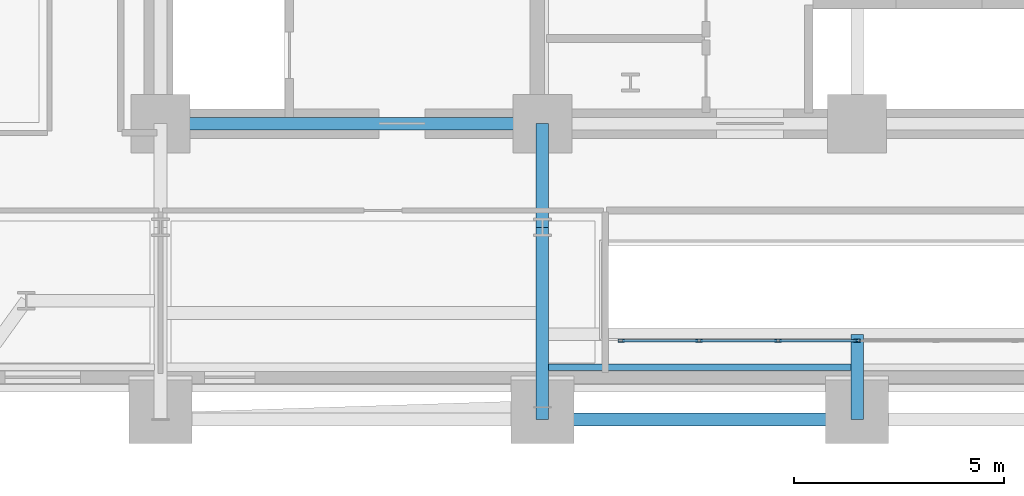
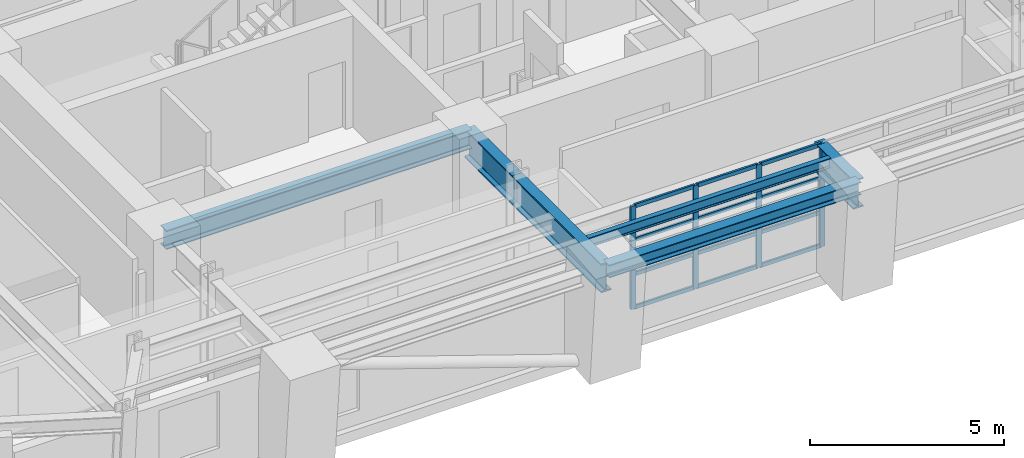
# One storey, part 2 of 15: 16 members, 6 beams, 1 element without a shape of its own.
"""IFC4 building model written with IfcOpenShell, lengths in metres."""

import ifcopenshell
import ifcopenshell.guid

model = None  # the IFC model being written
_history = None  # IfcOwnerHistory: only IFC2X3 demands one
_inside = {}  # id of a spatial element -> (the spatial element, [elements in it])
_under = {}  # id of a project, library or spatial element -> (it, [spatial elements below it])
_declared = {}  # id of a project -> (the project, [libraries it declares])
_typed = {}  # id of a type object -> (the type object, [elements of that type])
_made_of = {}  # id of a material, layer set ... -> (it, [elements and type objects made of it])


def new_model(schema):
    """Start an empty IFC model of exactly this schema.

    Asked for "IFC4X3", IfcOpenShell would pick the latest addendum, in which some entities
    have other attributes; the version numbers below select the first issue.
    IFC2X3 requires an IfcOwnerHistory on every rooted entity: one is made here for all.
    """
    global model, _history
    if schema == "IFC4X3":
        model = ifcopenshell.file(schema_version=(4, 3, 0, 0))
    else:
        model = ifcopenshell.file(schema=schema)
    _inside.clear()
    _under.clear()
    _declared.clear()
    _typed.clear()
    _made_of.clear()
    _history = None
    if model.schema == "IFC2X3":
        org = make("IfcOrganization", Name="unknown")
        user = make(
            "IfcPersonAndOrganization",
            ThePerson=make("IfcPerson", FamilyName="unknown"),
            TheOrganization=org,
        )
        app = make(
            "IfcApplication",
            ApplicationDeveloper=org,
            Version="unknown",
            ApplicationFullName="unknown",
            ApplicationIdentifier="unknown",
        )
        _history = make(
            "IfcOwnerHistory",
            OwningUser=user,
            OwningApplication=app,
            ChangeAction="ADDED",
            CreationDate=0,
        )
    return model


def make(cls, **values):
    """One entity of the class cls with the attributes given. An attribute that is None is left unset."""
    return model.create_entity(
        cls, **{name: value for name, value in values.items() if value is not None}
    )


def rooted(cls, **values):
    """An entity with a GlobalId (a new one), such as an element, a storey or a relation."""
    return make(cls, GlobalId=ifcopenshell.guid.new(), OwnerHistory=_history, **values)


def si_unit(unit_type, name, prefix=None):
    """IfcSIUnit, for example si_unit("LENGTHUNIT", "METRE", prefix="MILLI")."""
    return make("IfcSIUnit", UnitType=unit_type, Prefix=prefix, Name=name)


def assignment(units):
    """IfcUnitAssignment: the units of a project."""
    return None if units is None else make("IfcUnitAssignment", Units=units)


def point(xyz):
    """IfcCartesianPoint."""
    return None if xyz is None else make("IfcCartesianPoint", Coordinates=xyz)


def direction(xyz):
    """IfcDirection."""
    return None if xyz is None else make("IfcDirection", DirectionRatios=xyz)


def frame(location, z_axis=None, x_axis=None):
    """IfcAxis2Placement3D, a coordinate frame: its origin and axes. An axis left out is left unset."""
    return make(
        "IfcAxis2Placement3D",
        Location=point(location),
        Axis=direction(z_axis),
        RefDirection=direction(x_axis),
    )


def frame_2d(location, x_axis=None):
    """IfcAxis2Placement2D, a coordinate frame in the plane: its origin and x axis."""
    return make(
        "IfcAxis2Placement2D", Location=point(location), RefDirection=direction(x_axis)
    )


def origin():
    """The frame at (0, 0, 0) with its axes left unset."""
    return frame((0.0, 0.0, 0.0))


def origin_2d():
    """The frame at (0, 0) in the plane with its x axis left unset."""
    return frame_2d((0.0, 0.0))


def place(relative_to, where):
    """IfcLocalPlacement: puts the frame where relative to a parent placement (None: the world)."""
    return make(
        "IfcLocalPlacement", PlacementRelTo=relative_to, RelativePlacement=where
    )


def context(
    kind, dimensions, precision=None, world=None, true_north=None, identifier=None
):
    """IfcGeometricRepresentationContext, for example the 3D "Model" context."""
    return make(
        "IfcGeometricRepresentationContext",
        ContextIdentifier=identifier,
        ContextType=kind,
        CoordinateSpaceDimension=dimensions,
        Precision=precision,
        WorldCoordinateSystem=world,
        TrueNorth=true_north,
    )


def subcontext(parent, identifier, kind, view, scale=None):
    """IfcGeometricRepresentationSubContext, for example "Body" below "Model"."""
    return make(
        "IfcGeometricRepresentationSubContext",
        ContextIdentifier=identifier,
        ContextType=kind,
        ParentContext=parent,
        TargetScale=scale,
        TargetView=view,
    )


def project(units=None, contexts=None):
    """IfcProject with its units and contexts."""
    return rooted(
        "IfcProject",
        Name="project",
        RepresentationContexts=contexts,
        UnitsInContext=assignment(units),
    )


def spatial(cls, under=None, at=None, **own):
    """A site, building, storey or space (cls), placed at a placement, below another one or the project."""
    s = rooted(cls, ObjectPlacement=at, **own)
    if under is not None:
        _under.setdefault(under.id(), (under, []))[1].append(s)
    return s


def profile(cls, at=None, kind="AREA", **sizes):
    """A parametric profile (cls). Its sizes go by their IFC names, for example OverallWidth=200.0."""
    return make(cls, ProfileType=kind, Position=at, **sizes)


def hollow_rectangle(**sizes):
    """IfcRectangleHollowProfileDef."""
    return profile("IfcRectangleHollowProfileDef", **sizes)


def i_section(**sizes):
    """IfcIShapeProfileDef."""
    return profile("IfcIShapeProfileDef", **sizes)


def extrude(swept, where, along, depth):
    """IfcExtrudedAreaSolid: the profile swept, set in the frame where, extruded along a direction by depth."""
    return make(
        "IfcExtrudedAreaSolid",
        SweptArea=swept,
        Position=where,
        ExtrudedDirection=direction(along),
        Depth=depth,
    )


def shape(context_of_items, identifier, shape_type, items):
    """IfcShapeRepresentation: the items that make up one representation, for example the "Body"."""
    return make(
        "IfcShapeRepresentation",
        ContextOfItems=context_of_items,
        RepresentationIdentifier=identifier,
        RepresentationType=shape_type,
        Items=items,
    )


def material(Name=None, Category=None):
    """IfcMaterial."""
    return make("IfcMaterial", Name=Name, Category=Category)


def layer(
    of_material, thickness, ventilated=None, Name=None, Category=None, Priority=None
):
    """IfcMaterialLayer: one layer of a wall or slab, of a material (None: an air gap)."""
    return make(
        "IfcMaterialLayer",
        Material=of_material,
        LayerThickness=thickness,
        IsVentilated=ventilated,
        Name=Name,
        Category=Category,
        Priority=Priority,
    )


def layer_set(layers, Name=None):
    """IfcMaterialLayerSet."""
    return make("IfcMaterialLayerSet", MaterialLayers=layers, LayerSetName=Name)


def material_profile(
    of_material, cross_section, Name=None, Category=None, Priority=None
):
    """IfcMaterialProfile: a cross section and its material."""
    return make(
        "IfcMaterialProfile",
        Name=Name,
        Material=of_material,
        Profile=cross_section,
        Priority=Priority,
        Category=Category,
    )


def profile_set(profiles, Name=None, composite=None):
    """IfcMaterialProfileSet."""
    return make(
        "IfcMaterialProfileSet",
        Name=Name,
        MaterialProfiles=profiles,
        CompositeProfile=composite,
    )


def made_of(thing, what):
    """Note that an element or type object is made of a material, layer set ...; save() writes the relation."""
    if what is not None:
        _made_of.setdefault(what.id(), (what, []))[1].append(thing)
    return thing


def type_object(cls, material=None, **own):
    """A type object (cls), such as IfcWallType, which elements share."""
    return made_of(rooted(cls, **own), material)


def element(
    cls,
    number,
    at=None,
    inside=None,
    cuts=None,
    type_object=None,
    material=None,
    context=None,
    identifier="Body",
    shape_type=None,
    held_by="IfcProductDefinitionShape",
    body=None,
    shapes=None,
    **own,
):
    """One element of the class cls, such as IfcWall. Its Tag is "e" and its number.

    at: its placement. inside: the storey or other place that contains it. cuts: it is an
    opening in that element (IfcRelVoidsElement). A single representation is given by context,
    identifier, shape_type and body (its items); several are given by shapes. held_by: the class
    of the entity that holds the representations. save() writes the other relations.
    """
    e = rooted(cls, Tag="e%d" % number, ObjectPlacement=at, **own)
    if body is not None:
        shapes = [shape(context, identifier, shape_type, body)]
    if shapes is not None:
        e.Representation = make(held_by, Representations=shapes)
    if inside is not None:
        _inside.setdefault(inside.id(), (inside, []))[1].append(e)
    if cuts is not None:
        rooted(
            "IfcRelVoidsElement", RelatingBuildingElement=cuts, RelatedOpeningElement=e
        )
    if type_object is not None:
        _typed.setdefault(type_object.id(), (type_object, []))[1].append(e)
    return made_of(e, material)


def aggregate(whole, parts):
    """IfcRelAggregates: a whole, such as a stair, and the parts it consists of."""
    return rooted("IfcRelAggregates", RelatingObject=whole, RelatedObjects=parts)


def save(model, path):
    """Write the relations noted so far, then the file.

    IfcRelAggregates (storeys below a building ...), IfcRelContainedInSpatialStructure (elements
    in a storey), IfcRelDefinesByType, IfcRelAssociatesMaterial and IfcRelDeclares: one each for
    every whole, place, type object, material and project.
    """
    for whole, parts in _under.values():
        aggregate(whole, parts)
    for where, things in _inside.values():
        rooted(
            "IfcRelContainedInSpatialStructure",
            RelatedElements=things,
            RelatingStructure=where,
        )
    for kind, things in _typed.values():
        rooted("IfcRelDefinesByType", RelatedObjects=things, RelatingType=kind)
    for what, things in _made_of.values():
        rooted("IfcRelAssociatesMaterial", RelatedObjects=things, RelatingMaterial=what)
    for by, libraries in _declared.values():
        rooted("IfcRelDeclares", RelatingContext=by, RelatedDefinitions=libraries)
    model.write(path)


model = new_model("IFC4")

# Units and contexts
model_context = context("Model", 3, precision=1e-05, world=origin(), true_north=direction((0.0, 1.0)))
body_context = subcontext(model_context, "Body", "Model", "MODEL_VIEW")
ifc_project = project(units=[si_unit("LENGTHUNIT", "METRE"), si_unit("AREAUNIT", "SQUARE_METRE"), si_unit("VOLUMEUNIT", "CUBIC_METRE"), si_unit("PLANEANGLEUNIT", "RADIAN"), si_unit("MASSUNIT", "GRAM", prefix="KILO")], contexts=[model_context])

# Site, building, storey
site_placement = place(None, origin())
site = spatial("IfcSite", under=ifc_project, at=site_placement, CompositionType="ELEMENT")
building_placement = place(site_placement, origin())
building = spatial("IfcBuilding", under=site, at=building_placement, Name="Zarnavel Station Tower", CompositionType="ELEMENT")
storey_placement = place(building_placement, frame((0.0, 0.0, 57.0)))
storey = spatial("IfcBuildingStorey", under=building, at=storey_placement, Name="L15", CompositionType="ELEMENT", Elevation=57.0)

# Curtain wall, members
ifc_material_1 = material(Name="Aluminium Dark Anodised and Solar-Control Glass", Category="aluminium")
ifc_layer = layer(ifc_material_1, 0.179931640625)
ifc_layer_set = layer_set([ifc_layer], Name="CWS2")
curtain_wall_type = type_object("IfcCurtainWallType", Name="CWS2", PredefinedType="NOTDEFINED", material=ifc_layer_set)
curtain_wall_placement = place(storey_placement, origin())
curtain_wall = element("IfcCurtainWall", 1, at=curtain_wall_placement, inside=storey, type_object=curtain_wall_type, Name="L15 Curtain Wall CWS2-L15-AS", PredefinedType="NOTDEFINED")
ifc_material_2 = material(Name="Steel S355J2 (Black Fluoropolymer Coated)", Category="steel")
ifc_material_profile_1 = material_profile(ifc_material_2, hollow_rectangle(XDim=0.074951171875, YDim=0.14990234375, WallThickness=0.00634765625, at=origin_2d()), Name="RHS150x75x6.3")
ifc_profile_set_1 = profile_set([ifc_material_profile_1], Name="Steel S355J2 (Black Fluoropolymer Coated)")
member_type_1 = type_object("IfcMemberType", Name="CWS2_MUL", PredefinedType="MULLION", material=ifc_profile_set_1)
member_1_placement = place(storey_placement, frame((23.179931640625, 22.64990234375, 0.0), z_axis=(0.0, 0.0, 1.0), x_axis=(0.0, 1.0, 0.0)))
member_1 = element("IfcMember", 2, at=member_1_placement, type_object=member_type_1, Name="CW2 mullion 1", PredefinedType="MULLION", context=body_context, shape_type="SweptSolid", body=[
    extrude(hollow_rectangle(XDim=0.074951171875, YDim=0.14990234375, WallThickness=0.00634765625, at=origin_2d()), origin(), (0.0, 0.0, 1.0), 3.239990234375),
])
member_2_placement = place(storey_placement, frame((25.033447265625, 22.64990234375, 0.0), z_axis=(0.0, 0.0, 1.0), x_axis=(0.0, 1.0, 0.0)))
member_2 = element("IfcMember", 3, at=member_2_placement, type_object=member_type_1, Name="CW2 mullion 2", PredefinedType="MULLION", context=body_context, shape_type="SweptSolid", body=[
    extrude(hollow_rectangle(XDim=0.074951171875, YDim=0.14990234375, WallThickness=0.00634765625, at=origin_2d()), origin(), (0.0, 0.0, 1.0), 3.239990234375),
])
member_3_placement = place(storey_placement, frame((26.916748046875, 22.64990234375, 0.0), z_axis=(0.0, 0.0, 1.0), x_axis=(0.0, 1.0, 0.0)))
member_3 = element("IfcMember", 4, at=member_3_placement, type_object=member_type_1, Name="CW2 mullion 3", PredefinedType="MULLION", context=body_context, shape_type="SweptSolid", body=[
    extrude(hollow_rectangle(XDim=0.074951171875, YDim=0.14990234375, WallThickness=0.00634765625, at=origin_2d()), origin(), (0.0, 0.0, 1.0), 3.239990234375),
])
member_4_placement = place(storey_placement, frame((28.800048828125, 22.64990234375, 0.0), z_axis=(0.0, 0.0, 1.0), x_axis=(0.0, 1.0, 0.0)))
member_4 = element("IfcMember", 5, at=member_4_placement, type_object=member_type_1, Name="CW2 mullion 4", PredefinedType="MULLION", context=body_context, shape_type="SweptSolid", body=[
    extrude(hollow_rectangle(XDim=0.074951171875, YDim=0.14990234375, WallThickness=0.00634765625, at=origin_2d()), origin(), (0.0, 0.0, 1.0), 3.239990234375),
])
ifc_material_3 = material(Name="Steel S355J2 (Black Fluoropolymer Coated)", Category="steel")
ifc_material_profile_2 = material_profile(ifc_material_3, hollow_rectangle(XDim=0.06005859375, YDim=0.1201171875, WallThickness=0.0048828125, at=origin_2d()), Name="RHS120x60x5")
ifc_profile_set_2 = profile_set([ifc_material_profile_2], Name="Steel S355J2 (Black Fluoropolymer Coated)")
member_type_2 = type_object("IfcMemberType", Name="CWS2_TRN", PredefinedType="USERDEFINED", material=ifc_profile_set_2)
member_5_placement = place(storey_placement, frame((23.2099609375, 22.64990234375, 0.030029296875), z_axis=(1.0, 0.0, 0.0), x_axis=(0.0, 1.0, 0.0)))
member_5 = element("IfcMember", 6, at=member_5_placement, type_object=member_type_2, Name="CW2 transom 1.1", ObjectType="TRANSOM", PredefinedType="USERDEFINED", context=body_context, shape_type="SweptSolid", body=[
    extrude(hollow_rectangle(XDim=0.06005859375, YDim=0.1201171875, WallThickness=0.0048828125, at=origin_2d()), origin(), (0.0, 0.0, 1.0), 1.79345703125),
])
member_6_placement = place(storey_placement, frame((23.2099609375, 22.64990234375, 1.080078125), z_axis=(1.0, 0.0, 0.0), x_axis=(0.0, 1.0, 0.0)))
member_6 = element("IfcMember", 7, at=member_6_placement, type_object=member_type_2, Name="CW2 transom 1.2", ObjectType="TRANSOM", PredefinedType="USERDEFINED", context=body_context, shape_type="SweptSolid", body=[
    extrude(hollow_rectangle(XDim=0.06005859375, YDim=0.1201171875, WallThickness=0.0048828125, at=origin_2d()), origin(), (0.0, 0.0, 1.0), 1.79345703125),
])
member_7_placement = place(storey_placement, frame((23.2099609375, 22.64990234375, 2.159912109375), z_axis=(1.0, 0.0, 0.0), x_axis=(0.0, 1.0, 0.0)))
member_7 = element("IfcMember", 8, at=member_7_placement, type_object=member_type_2, Name="CW2 transom 1.3", ObjectType="TRANSOM", PredefinedType="USERDEFINED", context=body_context, shape_type="SweptSolid", body=[
    extrude(hollow_rectangle(XDim=0.06005859375, YDim=0.1201171875, WallThickness=0.0048828125, at=origin_2d()), origin(), (0.0, 0.0, 1.0), 1.79345703125),
])
member_8_placement = place(storey_placement, frame((23.2099609375, 22.64990234375, 3.2099609375), z_axis=(1.0, 0.0, 0.0), x_axis=(0.0, 1.0, 0.0)))
member_8 = element("IfcMember", 9, at=member_8_placement, type_object=member_type_2, Name="CW2 transom 1.4", ObjectType="TRANSOM", PredefinedType="USERDEFINED", context=body_context, shape_type="SweptSolid", body=[
    extrude(hollow_rectangle(XDim=0.06005859375, YDim=0.1201171875, WallThickness=0.0048828125, at=origin_2d()), origin(), (0.0, 0.0, 1.0), 1.79345703125),
])
member_9_placement = place(storey_placement, frame((25.063232421875, 22.64990234375, 0.030029296875), z_axis=(1.0, 0.0, 0.0), x_axis=(0.0, 1.0, 0.0)))
member_9 = element("IfcMember", 10, at=member_9_placement, type_object=member_type_2, Name="CW2 transom 2.1", ObjectType="TRANSOM", PredefinedType="USERDEFINED", context=body_context, shape_type="SweptSolid", body=[
    extrude(hollow_rectangle(XDim=0.06005859375, YDim=0.1201171875, WallThickness=0.0048828125, at=origin_2d()), origin(), (0.0, 0.0, 1.0), 1.823486328125),
])
member_10_placement = place(storey_placement, frame((25.063232421875, 22.64990234375, 1.080078125), z_axis=(1.0, 0.0, 0.0), x_axis=(0.0, 1.0, 0.0)))
member_10 = element("IfcMember", 11, at=member_10_placement, type_object=member_type_2, Name="CW2 transom 2.2", ObjectType="TRANSOM", PredefinedType="USERDEFINED", context=body_context, shape_type="SweptSolid", body=[
    extrude(hollow_rectangle(XDim=0.06005859375, YDim=0.1201171875, WallThickness=0.0048828125, at=origin_2d()), origin(), (0.0, 0.0, 1.0), 1.823486328125),
])
member_11_placement = place(storey_placement, frame((25.063232421875, 22.64990234375, 2.159912109375), z_axis=(1.0, 0.0, 0.0), x_axis=(0.0, 1.0, 0.0)))
member_11 = element("IfcMember", 12, at=member_11_placement, type_object=member_type_2, Name="CW2 transom 2.3", ObjectType="TRANSOM", PredefinedType="USERDEFINED", context=body_context, shape_type="SweptSolid", body=[
    extrude(hollow_rectangle(XDim=0.06005859375, YDim=0.1201171875, WallThickness=0.0048828125, at=origin_2d()), origin(), (0.0, 0.0, 1.0), 1.823486328125),
])
member_12_placement = place(storey_placement, frame((25.063232421875, 22.64990234375, 3.2099609375), z_axis=(1.0, 0.0, 0.0), x_axis=(0.0, 1.0, 0.0)))
member_12 = element("IfcMember", 13, at=member_12_placement, type_object=member_type_2, Name="CW2 transom 2.4", ObjectType="TRANSOM", PredefinedType="USERDEFINED", context=body_context, shape_type="SweptSolid", body=[
    extrude(hollow_rectangle(XDim=0.06005859375, YDim=0.1201171875, WallThickness=0.0048828125, at=origin_2d()), origin(), (0.0, 0.0, 1.0), 1.823486328125),
])
member_13_placement = place(storey_placement, frame((26.94677734375, 22.64990234375, 0.030029296875), z_axis=(1.0, 0.0, 0.0), x_axis=(0.0, 1.0, 0.0)))
member_13 = element("IfcMember", 14, at=member_13_placement, type_object=member_type_2, Name="CW2 transom 3.1", ObjectType="TRANSOM", PredefinedType="USERDEFINED", context=body_context, shape_type="SweptSolid", body=[
    extrude(hollow_rectangle(XDim=0.06005859375, YDim=0.1201171875, WallThickness=0.0048828125, at=origin_2d()), origin(), (0.0, 0.0, 1.0), 1.8232421875),
])
member_14_placement = place(storey_placement, frame((26.94677734375, 22.64990234375, 1.080078125), z_axis=(1.0, 0.0, 0.0), x_axis=(0.0, 1.0, 0.0)))
member_14 = element("IfcMember", 15, at=member_14_placement, type_object=member_type_2, Name="CW2 transom 3.2", ObjectType="TRANSOM", PredefinedType="USERDEFINED", context=body_context, shape_type="SweptSolid", body=[
    extrude(hollow_rectangle(XDim=0.06005859375, YDim=0.1201171875, WallThickness=0.0048828125, at=origin_2d()), origin(), (0.0, 0.0, 1.0), 1.8232421875),
])
member_15_placement = place(storey_placement, frame((26.94677734375, 22.64990234375, 2.159912109375), z_axis=(1.0, 0.0, 0.0), x_axis=(0.0, 1.0, 0.0)))
member_15 = element("IfcMember", 16, at=member_15_placement, type_object=member_type_2, Name="CW2 transom 3.3", ObjectType="TRANSOM", PredefinedType="USERDEFINED", context=body_context, shape_type="SweptSolid", body=[
    extrude(hollow_rectangle(XDim=0.06005859375, YDim=0.1201171875, WallThickness=0.0048828125, at=origin_2d()), origin(), (0.0, 0.0, 1.0), 1.8232421875),
])
member_16_placement = place(storey_placement, frame((26.94677734375, 22.64990234375, 3.2099609375), z_axis=(1.0, 0.0, 0.0), x_axis=(0.0, 1.0, 0.0)))
member_16 = element("IfcMember", 17, at=member_16_placement, type_object=member_type_2, Name="CW2 transom 3.4", ObjectType="TRANSOM", PredefinedType="USERDEFINED", context=body_context, shape_type="SweptSolid", body=[
    extrude(hollow_rectangle(XDim=0.06005859375, YDim=0.1201171875, WallThickness=0.0048828125, at=origin_2d()), origin(), (0.0, 0.0, 1.0), 1.8232421875),
])
aggregate(curtain_wall, [member_1, member_2, member_3, member_4, member_5, member_6, member_7, member_8, member_9, member_10, member_11, member_12, member_13, member_14, member_15, member_16])

# Beams
ifc_material_4 = material(Name="Steel S355J2", Category="steel")
ifc_material_profile_3 = material_profile(ifc_material_4, i_section(OverallWidth=0.300048828125, OverallDepth=0.39990234375, WebThickness=0.013427734375, FlangeThickness=0.02392578125, FilletRadius=0.027099609375, at=origin_2d()), Name="HEB400")
ifc_profile_set_3 = profile_set([ifc_material_profile_3], Name="Steel S355J2")
beam_type_1 = type_object("IfcBeamType", Name="EB_HEB400", PredefinedType="SPANDREL", material=ifc_profile_set_3)
beam_1_placement = place(storey_placement, frame((21.300048828125, 20.76904296875, 3.0400390625), z_axis=(1.0, 0.0, 0.0), x_axis=(0.0, 1.0, 0.0)))
element("IfcBeam", 18, at=beam_1_placement, inside=storey, type_object=beam_type_1, Name="L15 South Raked Spandrel 2", PredefinedType="SPANDREL", context=body_context, shape_type="SweptSolid", body=[
    extrude(i_section(OverallWidth=0.300048828125, OverallDepth=0.39990234375, WebThickness=0.013427734375, FlangeThickness=0.02392578125, FilletRadius=0.027099609375, at=origin_2d()), origin(), (0.0, 0.0, 1.0), 7.5),
])
ifc_material_5 = material(Name="Steel S355J2", Category="steel")
ifc_material_profile_4 = material_profile(ifc_material_5, i_section(OverallWidth=0.300048828125, OverallDepth=0.60009765625, WebThickness=0.015380859375, FlangeThickness=0.030029296875, FilletRadius=0.027099609375, at=origin_2d()), Name="HEB600")
ifc_profile_set_4 = profile_set([ifc_material_profile_4], Name="Steel S355J2")
beam_type_2 = type_object("IfcBeamType", Name="FG_HEB600", PredefinedType="USERDEFINED", material=ifc_profile_set_4)
beam_2_placement = place(storey_placement, frame((12.199951171875, 27.820068359375, 2.93994140625), z_axis=(1.0, 0.0, 0.0), x_axis=(0.0, 1.0, 0.0)))
element("IfcBeam", 19, at=beam_2_placement, inside=storey, type_object=beam_type_2, Name="L15 Core Front Coupling Beam 1", ObjectType="GIRDER", PredefinedType="USERDEFINED", context=body_context, shape_type="SweptSolid", body=[
    extrude(i_section(OverallWidth=0.300048828125, OverallDepth=0.60009765625, WebThickness=0.015380859375, FlangeThickness=0.030029296875, FilletRadius=0.027099609375, at=origin_2d()), origin(), (0.0, 0.0, 1.0), 9.10009765625),
])
ifc_material_6 = material(Name="Steel S355J2", Category="steel")
ifc_material_profile_5 = material_profile(ifc_material_6, i_section(OverallWidth=0.14990234375, OverallDepth=0.300048828125, WebThickness=0.007080078125, FlangeThickness=0.0107421875, FilletRadius=0.014892578125, at=origin_2d()), Name="IPE300")
ifc_profile_set_5 = profile_set([ifc_material_profile_5], Name="Steel S355J2")
beam_type_3 = type_object("IfcBeamType", Name="FJ_IPE300", PredefinedType="JOIST", material=ifc_profile_set_5)
beam_3_placement = place(storey_placement, frame((21.445068359375, 22.0126953125, 3.090087890625), z_axis=(1.0, 0.0, 0.0), x_axis=(0.0, 1.0, 0.0)))
element("IfcBeam", 20, at=beam_3_placement, inside=storey, type_object=beam_type_3, Name="L15 Mid-West Joist 1", PredefinedType="JOIST", context=body_context, shape_type="SweptSolid", body=[
    extrude(i_section(OverallWidth=0.14990234375, OverallDepth=0.300048828125, WebThickness=0.007080078125, FlangeThickness=0.0107421875, FilletRadius=0.014892578125, at=origin_2d()), origin(), (0.0, 0.0, 1.0), 7.2099609375),
])
ifc_material_7 = material(Name="Steel S460M", Category="steel")
ifc_material_profile_6 = material_profile(ifc_material_7, i_section(OverallWidth=0.302001953125, OverallDepth=0.909912109375, WebThickness=0.02099609375, FlangeThickness=0.0400390625, FilletRadius=0.030029296875, at=origin_2d()), Name="HEM900")
ifc_profile_set_6 = profile_set([ifc_material_profile_6], Name="Steel S460M")
beam_type_4 = type_object("IfcBeamType", Name="TG_HEM900", PredefinedType="USERDEFINED", material=ifc_profile_set_6)
beam_4_placement = place(storey_placement, frame((21.300048828125, 20.76904296875, 2.784912109375), z_axis=(0.0, 1.0, 0.0), x_axis=(-1.0, 0.0, 0.0)))
element("IfcBeam", 21, at=beam_4_placement, inside=storey, type_object=beam_type_4, Name="L15 South-Zone NS Girder 2", ObjectType="GIRDER", PredefinedType="USERDEFINED", context=body_context, shape_type="SweptSolid", body=[
    extrude(i_section(OverallWidth=0.302001953125, OverallDepth=0.909912109375, WebThickness=0.02099609375, FlangeThickness=0.0400390625, FilletRadius=0.030029296875, at=origin_2d()), origin(), (0.0, 0.0, 1.0), 4.5810546875),
])
beam_5_placement = place(storey_placement, frame((21.300048828125, 25.35009765625, 2.784912109375), z_axis=(0.0, 1.0, 0.0), x_axis=(-1.0, 0.0, 0.0)))
element("IfcBeam", 22, at=beam_5_placement, inside=storey, type_object=beam_type_4, Name="L15 Inner-Zone NS Girder 2", ObjectType="GIRDER", PredefinedType="USERDEFINED", context=body_context, shape_type="SweptSolid", body=[
    extrude(i_section(OverallWidth=0.302001953125, OverallDepth=0.909912109375, WebThickness=0.02099609375, FlangeThickness=0.0400390625, FilletRadius=0.030029296875, at=origin_2d()), origin(), (0.0, 0.0, 1.0), 2.469970703125),
])
beam_6_placement = place(storey_placement, frame((28.800048828125, 20.76904296875, 2.784912109375), z_axis=(0.0, 1.0, 0.0), x_axis=(-1.0, 0.0, 0.0)))
element("IfcBeam", 23, at=beam_6_placement, inside=storey, type_object=beam_type_4, Name="L15 Central Atrium-South Girder", ObjectType="GIRDER", PredefinedType="USERDEFINED", context=body_context, shape_type="SweptSolid", body=[
    extrude(i_section(OverallWidth=0.302001953125, OverallDepth=0.909912109375, WebThickness=0.02099609375, FlangeThickness=0.0400390625, FilletRadius=0.030029296875, at=origin_2d()), origin(), (0.0, 0.0, 1.0), 2.031005859375),
])

save(model, "model.ifc")
